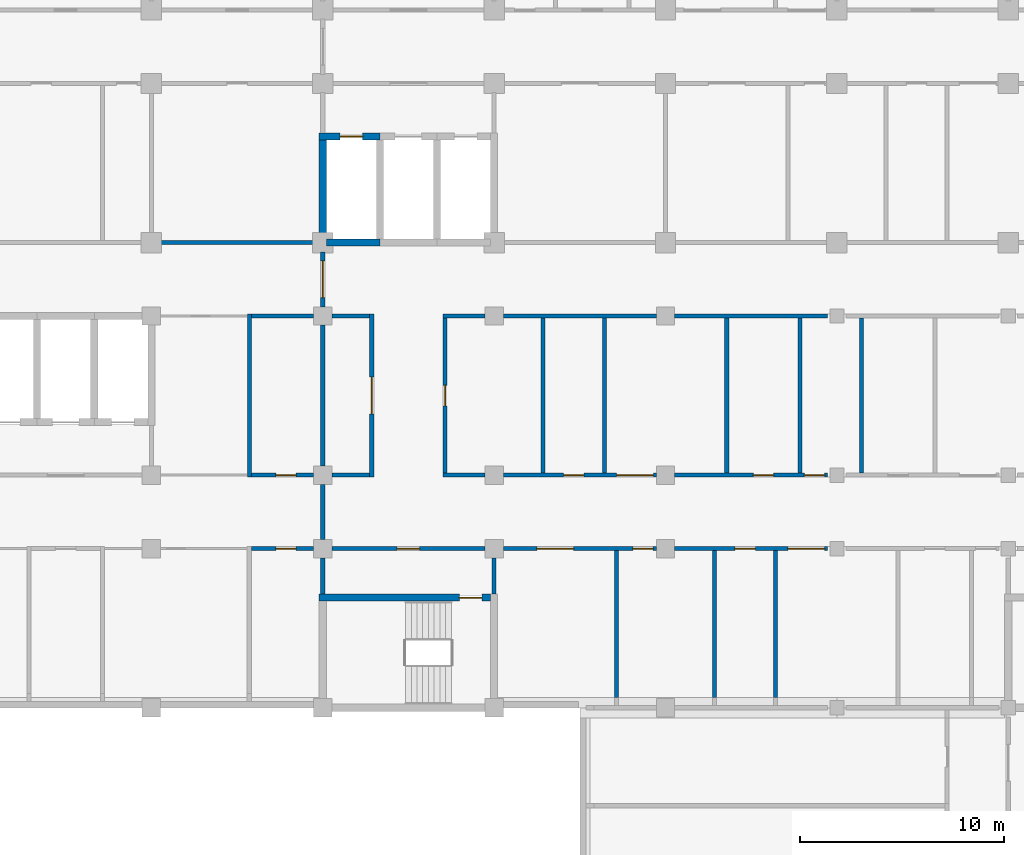
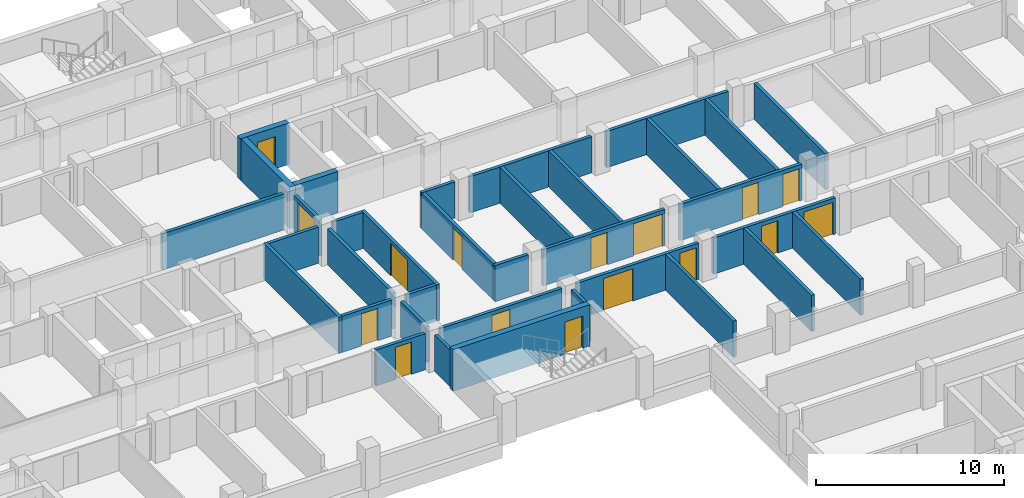
# One storey, part 58 of 89: 35 walls, 16 doors, 16 openings.
"""IFC4 building model written with IfcOpenShell, lengths in metres."""

from ifc_helpers import new_model, si_unit, direction, frame, frame_2d, origin, place, context, subcontext, project, spatial, rectangle, extrude, material, layer, layer_set, type_object, element, fill, save


model = new_model("IFC4")

# Units and contexts
model_context = context("Model", 3, precision=1e-05, world=origin(), true_north=direction((0.0, 1.0)))
body_context = subcontext(model_context, "Body", "Model", "MODEL_VIEW")
ifc_project = project(units=[si_unit("LENGTHUNIT", "METRE"), si_unit("AREAUNIT", "SQUARE_METRE"), si_unit("VOLUMEUNIT", "CUBIC_METRE"), si_unit("PLANEANGLEUNIT", "RADIAN"), si_unit("MASSUNIT", "GRAM", prefix="KILO")], contexts=[model_context])

# Site, building, storey
site_placement = place(None, origin())
site = spatial("IfcSite", under=ifc_project, at=site_placement, CompositionType="ELEMENT")
building_placement = place(site_placement, origin())
building = spatial("IfcBuilding", under=site, at=building_placement, Name="Bougainvillea Quay General Hospital", CompositionType="ELEMENT")
storey_placement = place(building_placement, frame((0.0, 0.0, 9.89990234375)))
storey = spatial("IfcBuildingStorey", under=building, at=storey_placement, Name="L01M", CompositionType="ELEMENT", Elevation=9.89990234375)

# Wall, opening, door
ifc_material_1 = material(Name="Fire-rated autoclaved aerated block wall, plastered")
ifc_layer_1 = layer(ifc_material_1, 0.199951171875)
ifc_layer_set_1 = layer_set([ifc_layer_1], Name="Fire-rated autoclaved aerated block wall, plastered")
wall_type_1 = type_object("IfcWallType", Name="Partition 200 Fire-rated autoclaved aerated block wall EI 120", PredefinedType="SOLIDWALL", material=ifc_layer_set_1)
wall_1_placement = place(storey_placement, frame((151.199951171875, 139.949951171875, 0.0), z_axis=(0.0, 0.0, 1.0), x_axis=(0.0, -1.0, 0.0)))
wall_1 = element("IfcWall", 1, at=wall_1_placement, inside=storey, type_object=wall_type_1, Name="Partition 200 mm EI 120", PredefinedType="SOLIDWALL", context=body_context, shape_type="SweptSolid", body=[
    extrude(rectangle(XDim=2.699951171875, YDim=0.199951171875, at=frame_2d((1.35009765625, 0.0))), origin(), (0.0, 0.0, 1.0), 2.35009765625),
])
opening_1_placement = place(wall_1_placement, frame((0.449951171875, 0.0, 0.0)))
opening_1 = element("IfcOpeningElement", 2, at=opening_1_placement, cuts=wall_1, Name="Opening L01M.015", PredefinedType="OPENING", context=body_context, shape_type="SweptSolid", body=[
    extrude(rectangle(XDim=1.800048828125, YDim=2.10009765625, at=frame_2d((0.89990234375, 1.050048828125))), frame((0.0, 0.10986328125, 0.0), z_axis=(0.0, -1.0, 0.0), x_axis=(1.0, 0.0, 0.0)), (0.0, 0.0, 1.0), 0.219970703125),
])
ifc_material_2 = material(Name="Steel fire door leaves in steel frame", Category="steel")
door_type_1 = type_object("IfcDoorType", Name="Steel double leaf door 1800x2100 FD90", OperationType="DOUBLE_DOOR_SINGLE_SWING", PredefinedType="DOOR", material=ifc_material_2)
door_1_placement = place(opening_1_placement, frame((1.800048828125, 0.0, 0.0), z_axis=(0.0, 0.0, 1.0), x_axis=(-1.0, 0.0, 0.0)))
door_1 = element("IfcDoor", 3, at=door_1_placement, inside=storey, type_object=door_type_1, Name="DT03 L01M.015", OperationType="DOUBLE_DOOR_SINGLE_SWING", OverallHeight=2.10009765625, OverallWidth=1.800048828125, PredefinedType="DOOR", context=body_context, shape_type="SweptSolid", body=[
    extrude(rectangle(XDim=1.800048828125, YDim=2.10009765625, at=frame_2d((0.89990234375, 1.050048828125))), frame((0.0, 0.02490234375, 0.0), z_axis=(0.0, -1.0, 0.0), x_axis=(1.0, 0.0, 0.0)), (0.0, 0.0, 1.0), 0.050048828125),
])
fill(opening_1, door_1)

# Walls
wall_2_placement = place(storey_placement, frame((151.199951171875, 136.35009765625, 0.0), z_axis=(0.0, 0.0, 1.0), x_axis=(0.0, -1.0, 0.0)))
element("IfcWall", 4, at=wall_2_placement, inside=storey, type_object=wall_type_1, Name="Partition 200 mm EI 120", PredefinedType="SOLIDWALL", context=body_context, shape_type="SweptSolid", body=[
    extrude(rectangle(XDim=6.900146484375, YDim=0.199951171875, at=frame_2d((3.4501953125, 0.0))), origin(), (0.0, 0.0, 1.0), 2.35009765625),
])
wall_3_placement = place(storey_placement, frame((151.199951171875, 128.550048828125, 0.0), z_axis=(0.0, 0.0, 1.0), x_axis=(0.0, -1.0, 0.0)))
element("IfcWall", 5, at=wall_3_placement, inside=storey, type_object=wall_type_1, Name="Partition 200 mm EI 120", PredefinedType="SOLIDWALL", context=body_context, shape_type="SweptSolid", body=[
    extrude(rectangle(XDim=2.699951171875, YDim=0.199951171875, at=frame_2d((1.35009765625, 0.0))), origin(), (0.0, 0.0, 1.0), 2.35009765625),
])
wall_4_placement = place(storey_placement, frame((151.199951171875, 124.949951171875, 0.0), z_axis=(0.0, 0.0, 1.0), x_axis=(0.0, -1.0, 0.0)))
element("IfcWall", 6, at=wall_4_placement, inside=storey, type_object=wall_type_1, Name="Partition 200 mm EI 120", PredefinedType="SOLIDWALL", context=body_context, shape_type="SweptSolid", body=[
    extrude(rectangle(XDim=1.77490234375, YDim=0.199951171875, at=frame_2d((0.887451171875, 0.0))), origin(), (0.0, 0.0, 1.0), 2.35009765625),
])

# Wall, openings, doors
wall_5_placement = place(storey_placement, frame((175.949951171875, 125.39990234375, 0.0), z_axis=(0.0, 0.0, 1.0), x_axis=(-1.0, 0.0, 0.0)))
wall_5 = element("IfcWall", 7, at=wall_5_placement, inside=storey, type_object=wall_type_1, Name="Partition 200 mm EI 120", PredefinedType="SOLIDWALL", context=body_context, shape_type="SweptSolid", body=[
    extrude(rectangle(XDim=7.5, YDim=0.199951171875, at=frame_2d((3.75, 0.0))), origin(), (0.0, 0.0, 1.0), 2.35009765625),
])
opening_2_placement = place(wall_5_placement, frame((3.552001953125, 0.0, 0.0)))
opening_2 = element("IfcOpeningElement", 8, at=opening_2_placement, cuts=wall_5, Name="Opening L01M.116", PredefinedType="OPENING", context=body_context, shape_type="SweptSolid", body=[
    extrude(rectangle(XDim=1.0, YDim=2.10009765625, at=frame_2d((0.5, 1.050048828125))), frame((0.0, 0.10986328125, 0.0), z_axis=(0.0, -1.0, 0.0), x_axis=(1.0, 0.0, 0.0)), (0.0, 0.0, 1.0), 0.219970703125),
])
opening_3_placement = place(wall_5_placement, frame((0.152099609375, 0.0, 0.0)))
opening_3 = element("IfcOpeningElement", 9, at=opening_3_placement, cuts=wall_5, Name="Opening L01M.117", PredefinedType="OPENING", context=body_context, shape_type="SweptSolid", body=[
    extrude(rectangle(XDim=1.800048828125, YDim=2.10009765625, at=frame_2d((0.89990234375, 1.050048828125))), frame((0.0, 0.10986328125, 0.0), z_axis=(0.0, -1.0, 0.0), x_axis=(1.0, 0.0, 0.0)), (0.0, 0.0, 1.0), 0.219970703125),
])
door_2_placement = place(opening_3_placement, origin())
door_2 = element("IfcDoor", 10, at=door_2_placement, inside=storey, type_object=door_type_1, Name="DT03 L01M.117", OperationType="DOUBLE_DOOR_SINGLE_SWING", OverallHeight=2.10009765625, OverallWidth=1.800048828125, PredefinedType="DOOR", context=body_context, shape_type="SweptSolid", body=[
    extrude(rectangle(XDim=1.800048828125, YDim=2.10009765625, at=frame_2d((0.89990234375, 1.050048828125))), frame((0.0, 0.02490234375, 0.0), z_axis=(0.0, -1.0, 0.0), x_axis=(1.0, 0.0, 0.0)), (0.0, 0.0, 1.0), 0.050048828125),
])
fill(opening_3, door_2)
ifc_material_3 = material(Name="Steel fire door leaf in steel frame", Category="steel")
door_type_2 = type_object("IfcDoorType", Name="Steel single leaf door 1000x2100 FD90", OperationType="NOTDEFINED", PredefinedType="DOOR", material=ifc_material_3)
door_3_placement = place(opening_2_placement, origin())
door_3 = element("IfcDoor", 11, at=door_3_placement, inside=storey, type_object=door_type_2, Name="DT11 L01M.116", OperationType="SINGLE_SWING_RIGHT", OverallHeight=2.10009765625, OverallWidth=1.0, PredefinedType="DOOR", context=body_context, shape_type="SweptSolid", body=[
    extrude(rectangle(XDim=1.0, YDim=2.10009765625, at=frame_2d((0.5, 1.050048828125))), frame((0.0, 0.02490234375, 0.0), z_axis=(0.0, -1.0, 0.0), x_axis=(1.0, 0.0, 0.0)), (0.0, 0.0, 1.0), 0.050048828125),
])
fill(opening_2, door_3)

wall_6_placement = place(storey_placement, frame((167.550048828125, 125.39990234375, 0.0), z_axis=(0.0, 0.0, 1.0), x_axis=(-1.0, 0.0, 0.0)))
wall_6 = element("IfcWall", 12, at=wall_6_placement, inside=storey, type_object=wall_type_1, Name="Partition 200 mm EI 120", PredefinedType="SOLIDWALL", context=body_context, shape_type="SweptSolid", body=[
    extrude(rectangle(XDim=7.5, YDim=0.199951171875, at=frame_2d((3.75, 0.0))), origin(), (0.0, 0.0, 1.0), 2.35009765625),
])
opening_4_placement = place(wall_6_placement, frame((4.051025390625, 0.0, 0.0)))
opening_4 = element("IfcOpeningElement", 13, at=opening_4_placement, cuts=wall_6, Name="Opening L01M.114", PredefinedType="OPENING", context=body_context, shape_type="SweptSolid", body=[
    extrude(rectangle(XDim=1.800048828125, YDim=2.10009765625, at=frame_2d((0.89990234375, 1.050048828125))), frame((0.0, 0.10986328125, 0.0), z_axis=(0.0, -1.0, 0.0), x_axis=(1.0, 0.0, 0.0)), (0.0, 0.0, 1.0), 0.219970703125),
])
opening_5_placement = place(wall_6_placement, frame((0.152099609375, 0.0, 0.0)))
opening_5 = element("IfcOpeningElement", 14, at=opening_5_placement, cuts=wall_6, Name="Opening L01M.115", PredefinedType="OPENING", context=body_context, shape_type="SweptSolid", body=[
    extrude(rectangle(XDim=1.0, YDim=2.10009765625, at=frame_2d((0.5, 1.050048828125))), frame((0.0, 0.10986328125, 0.0), z_axis=(0.0, -1.0, 0.0), x_axis=(1.0, 0.0, 0.0)), (0.0, 0.0, 1.0), 0.219970703125),
])
door_4_placement = place(opening_4_placement, origin())
door_4 = element("IfcDoor", 15, at=door_4_placement, inside=storey, type_object=door_type_1, Name="DT03 L01M.114", OperationType="DOUBLE_DOOR_SINGLE_SWING", OverallHeight=2.10009765625, OverallWidth=1.800048828125, PredefinedType="DOOR", context=body_context, shape_type="SweptSolid", body=[
    extrude(rectangle(XDim=1.800048828125, YDim=2.10009765625, at=frame_2d((0.89990234375, 1.050048828125))), frame((0.0, 0.02490234375, 0.0), z_axis=(0.0, -1.0, 0.0), x_axis=(1.0, 0.0, 0.0)), (0.0, 0.0, 1.0), 0.050048828125),
])
fill(opening_4, door_4)
door_5_placement = place(opening_5_placement, origin())
door_5 = element("IfcDoor", 16, at=door_5_placement, inside=storey, type_object=door_type_2, Name="DT11 L01M.115", OperationType="SINGLE_SWING_LEFT", OverallHeight=2.10009765625, OverallWidth=1.0, PredefinedType="DOOR", context=body_context, shape_type="SweptSolid", body=[
    extrude(rectangle(XDim=1.0, YDim=2.10009765625, at=frame_2d((0.5, 1.050048828125))), frame((0.0, 0.02490234375, 0.0), z_axis=(0.0, -1.0, 0.0), x_axis=(1.0, 0.0, 0.0)), (0.0, 0.0, 1.0), 0.050048828125),
])
fill(opening_5, door_5)

# Wall, opening, door
wall_7_placement = place(storey_placement, frame((159.14990234375, 125.39990234375, 0.0), z_axis=(0.0, 0.0, 1.0), x_axis=(-1.0, 0.0, 0.0)))
wall_7 = element("IfcWall", 17, at=wall_7_placement, inside=storey, type_object=wall_type_1, Name="Partition 200 mm EI 120", PredefinedType="SOLIDWALL", context=body_context, shape_type="SweptSolid", body=[
    extrude(rectangle(XDim=7.5, YDim=0.199951171875, at=frame_2d((3.75, 0.0))), origin(), (0.0, 0.0, 1.0), 2.35009765625),
])
opening_6_placement = place(wall_7_placement, frame((3.199951171875, 0.0, 0.0)))
opening_6 = element("IfcOpeningElement", 18, at=opening_6_placement, cuts=wall_7, Name="Opening L01M.038", PredefinedType="OPENING", context=body_context, shape_type="SweptSolid", body=[
    extrude(rectangle(XDim=1.10009765625, YDim=2.10009765625, at=frame_2d((0.550048828125, 1.050048828125))), frame((0.0, 0.10986328125, 0.0), z_axis=(0.0, -1.0, 0.0), x_axis=(1.0, 0.0, 0.0)), (0.0, 0.0, 1.0), 0.219970703125),
])
door_type_3 = type_object("IfcDoorType", Name="Steel single leaf door 1100x2100 FD60", OperationType="NOTDEFINED", PredefinedType="DOOR", material=ifc_material_3)
door_6_placement = place(opening_6_placement, origin())
door_6 = element("IfcDoor", 19, at=door_6_placement, inside=storey, type_object=door_type_3, Name="DT04 L01M.038", OperationType="SINGLE_SWING_RIGHT", OverallHeight=2.10009765625, OverallWidth=1.10009765625, PredefinedType="DOOR", context=body_context, shape_type="SweptSolid", body=[
    extrude(rectangle(XDim=1.10009765625, YDim=2.10009765625, at=frame_2d((0.550048828125, 1.050048828125))), frame((0.0, 0.02490234375, 0.0), z_axis=(0.0, -1.0, 0.0), x_axis=(1.0, 0.0, 0.0)), (0.0, 0.0, 1.0), 0.050048828125),
])
fill(opening_6, door_6)

# Wall, openings, doors
wall_8_placement = place(storey_placement, frame((175.949951171875, 129.0, 0.0), z_axis=(0.0, 0.0, 1.0), x_axis=(-1.0, 0.0, 0.0)))
wall_8 = element("IfcWall", 20, at=wall_8_placement, inside=storey, type_object=wall_type_1, Name="Partition 200 mm EI 120", PredefinedType="SOLIDWALL", context=body_context, shape_type="SweptSolid", body=[
    extrude(rectangle(XDim=7.5, YDim=0.199951171875, at=frame_2d((3.75, 0.0))), origin(), (0.0, 0.0, 1.0), 2.35009765625),
])
opening_7_placement = place(wall_8_placement, frame((2.64990234375, 0.0, 0.0)))
opening_7 = element("IfcOpeningElement", 21, at=opening_7_placement, cuts=wall_8, Name="Opening L01M.124", PredefinedType="OPENING", context=body_context, shape_type="SweptSolid", body=[
    extrude(rectangle(XDim=1.0, YDim=2.10009765625, at=frame_2d((0.5, 1.050048828125))), frame((0.0, 0.10986328125, 0.0), z_axis=(0.0, -1.0, 0.0), x_axis=(1.0, 0.0, 0.0)), (0.0, 0.0, 1.0), 0.219970703125),
])
opening_8_placement = place(wall_8_placement, frame((0.14990234375, 0.0, 0.0)))
opening_8 = element("IfcOpeningElement", 22, at=opening_8_placement, cuts=wall_8, Name="Opening L01M.125", PredefinedType="OPENING", context=body_context, shape_type="SweptSolid", body=[
    extrude(rectangle(XDim=1.0, YDim=2.10009765625, at=frame_2d((0.5, 1.050048828125))), frame((0.0, 0.10986328125, 0.0), z_axis=(0.0, -1.0, 0.0), x_axis=(1.0, 0.0, 0.0)), (0.0, 0.0, 1.0), 0.219970703125),
])
door_7_placement = place(opening_7_placement, frame((1.0, 0.0, 0.0), z_axis=(0.0, 0.0, 1.0), x_axis=(-1.0, 0.0, 0.0)))
door_7 = element("IfcDoor", 23, at=door_7_placement, inside=storey, type_object=door_type_2, Name="DT11 L01M.124", OperationType="SINGLE_SWING_RIGHT", OverallHeight=2.10009765625, OverallWidth=1.0, PredefinedType="DOOR", context=body_context, shape_type="SweptSolid", body=[
    extrude(rectangle(XDim=1.0, YDim=2.10009765625, at=frame_2d((0.5, 1.050048828125))), frame((0.0, 0.02490234375, 0.0), z_axis=(0.0, -1.0, 0.0), x_axis=(1.0, 0.0, 0.0)), (0.0, 0.0, 1.0), 0.050048828125),
])
fill(opening_7, door_7)
door_8_placement = place(opening_8_placement, frame((1.0, 0.0, 0.0), z_axis=(0.0, 0.0, 1.0), x_axis=(-1.0, 0.0, 0.0)))
door_8 = element("IfcDoor", 24, at=door_8_placement, inside=storey, type_object=door_type_2, Name="DT11 L01M.125", OperationType="SINGLE_SWING_RIGHT", OverallHeight=2.10009765625, OverallWidth=1.0, PredefinedType="DOOR", context=body_context, shape_type="SweptSolid", body=[
    extrude(rectangle(XDim=1.0, YDim=2.10009765625, at=frame_2d((0.5, 1.050048828125))), frame((0.0, 0.02490234375, 0.0), z_axis=(0.0, -1.0, 0.0), x_axis=(1.0, 0.0, 0.0)), (0.0, 0.0, 1.0), 0.050048828125),
])
fill(opening_8, door_8)

wall_9_placement = place(storey_placement, frame((167.550048828125, 129.0, 0.0), z_axis=(0.0, 0.0, 1.0), x_axis=(-1.0, 0.0, 0.0)))
wall_9 = element("IfcWall", 25, at=wall_9_placement, inside=storey, type_object=wall_type_1, Name="Partition 200 mm EI 120", PredefinedType="SOLIDWALL", context=body_context, shape_type="SweptSolid", body=[
    extrude(rectangle(XDim=7.5, YDim=0.199951171875, at=frame_2d((3.75, 0.0))), origin(), (0.0, 0.0, 1.0), 2.35009765625),
])
opening_9_placement = place(wall_9_placement, frame((3.550048828125, 0.0, 0.0)))
opening_9 = element("IfcOpeningElement", 26, at=opening_9_placement, cuts=wall_9, Name="Opening L01M.122", PredefinedType="OPENING", context=body_context, shape_type="SweptSolid", body=[
    extrude(rectangle(XDim=1.0, YDim=2.10009765625, at=frame_2d((0.5, 1.050048828125))), frame((0.0, 0.10986328125, 0.0), z_axis=(0.0, -1.0, 0.0), x_axis=(1.0, 0.0, 0.0)), (0.0, 0.0, 1.0), 0.219970703125),
])
opening_10_placement = place(wall_9_placement, frame((0.14990234375, 0.0, 0.0)))
opening_10 = element("IfcOpeningElement", 27, at=opening_10_placement, cuts=wall_9, Name="Opening L01M.123", PredefinedType="OPENING", context=body_context, shape_type="SweptSolid", body=[
    extrude(rectangle(XDim=1.800048828125, YDim=2.10009765625, at=frame_2d((0.89990234375, 1.050048828125))), frame((0.0, 0.10986328125, 0.0), z_axis=(0.0, -1.0, 0.0), x_axis=(1.0, 0.0, 0.0)), (0.0, 0.0, 1.0), 0.219970703125),
])
door_9_placement = place(opening_10_placement, frame((1.800048828125, 0.0, 0.0), z_axis=(0.0, 0.0, 1.0), x_axis=(-1.0, 0.0, 0.0)))
door_9 = element("IfcDoor", 28, at=door_9_placement, inside=storey, type_object=door_type_1, Name="DT03 L01M.123", OperationType="DOUBLE_DOOR_SINGLE_SWING", OverallHeight=2.10009765625, OverallWidth=1.800048828125, PredefinedType="DOOR", context=body_context, shape_type="SweptSolid", body=[
    extrude(rectangle(XDim=1.800048828125, YDim=2.10009765625, at=frame_2d((0.89990234375, 1.050048828125))), frame((0.0, 0.02490234375, 0.0), z_axis=(0.0, -1.0, 0.0), x_axis=(1.0, 0.0, 0.0)), (0.0, 0.0, 1.0), 0.050048828125),
])
fill(opening_10, door_9)
door_10_placement = place(opening_9_placement, frame((1.0, 0.0, 0.0), z_axis=(0.0, 0.0, 1.0), x_axis=(-1.0, 0.0, 0.0)))
door_10 = element("IfcDoor", 29, at=door_10_placement, inside=storey, type_object=door_type_2, Name="DT11 L01M.122", OperationType="SINGLE_SWING_LEFT", OverallHeight=2.10009765625, OverallWidth=1.0, PredefinedType="DOOR", context=body_context, shape_type="SweptSolid", body=[
    extrude(rectangle(XDim=1.0, YDim=2.10009765625, at=frame_2d((0.5, 1.050048828125))), frame((0.0, 0.02490234375, 0.0), z_axis=(0.0, -1.0, 0.0), x_axis=(1.0, 0.0, 0.0)), (0.0, 0.0, 1.0), 0.050048828125),
])
fill(opening_9, door_10)

# Walls
wall_10_placement = place(storey_placement, frame((159.14990234375, 129.0, 0.0), z_axis=(0.0, 0.0, 1.0), x_axis=(-1.0, 0.0, 0.0)))
element("IfcWall", 30, at=wall_10_placement, inside=storey, type_object=wall_type_1, Name="Partition 200 mm EI 120", PredefinedType="SOLIDWALL", context=body_context, shape_type="SweptSolid", body=[
    extrude(rectangle(XDim=2.0498046875, YDim=0.199951171875, at=frame_2d((1.02490234375, 0.0))), origin(), (0.0, 0.0, 1.0), 2.35009765625),
])
for number, where, z_axis, x_axis, name in (
    (31, (175.949951171875, 136.800048828125, 0.0), (0.0, 0.0, 1.0), (-1.0, 0.0, 0.0), "Partition 200 mm EI 120"),
    (32, (167.550048828125, 136.800048828125, 0.0), (0.0, 0.0, 1.0), (-1.0, 0.0, 0.0), "Partition 200 mm EI 120"),
):
    element("IfcWall", number, at=place(storey_placement, frame(where, z_axis=z_axis, x_axis=x_axis)), inside=storey, type_object=wall_type_1, Name=name, PredefinedType="SOLIDWALL", context=body_context, shape_type="SweptSolid", body=[
        extrude(rectangle(XDim=7.5, YDim=0.199951171875, at=frame_2d((3.75, 0.0))), origin(), (0.0, 0.0, 1.0), 2.35009765625),
    ])
wall_11_placement = place(storey_placement, frame((159.14990234375, 136.800048828125, 0.0), z_axis=(0.0, 0.0, 1.0), x_axis=(-1.0, 0.0, 0.0)))
element("IfcWall", 33, at=wall_11_placement, inside=storey, type_object=wall_type_1, Name="Partition 200 mm EI 120", PredefinedType="SOLIDWALL", context=body_context, shape_type="SweptSolid", body=[
    extrude(rectangle(XDim=2.0498046875, YDim=0.199951171875, at=frame_2d((1.02490234375, 0.0))), origin(), (0.0, 0.0, 1.0), 2.35009765625),
])
wall_12_placement = place(storey_placement, frame((150.75, 140.39990234375, 0.0), z_axis=(0.0, 0.0, 1.0), x_axis=(-1.0, 0.0, 0.0)))
element("IfcWall", 34, at=wall_12_placement, inside=storey, type_object=wall_type_1, Name="Partition 200 mm EI 120", PredefinedType="SOLIDWALL", context=body_context, shape_type="SweptSolid", body=[
    extrude(rectangle(XDim=7.5, YDim=0.199951171875, at=frame_2d((3.75, 0.0))), origin(), (0.0, 0.0, 1.0), 2.35009765625),
])
wall_13_placement = place(storey_placement, frame((159.60009765625, 123.175048828125, 0.0), z_axis=(0.0, 0.0, 1.0), x_axis=(0.0, 1.0, 0.0)))
element("IfcWall", 35, at=wall_13_placement, inside=storey, type_object=wall_type_1, Name="Partition 200 mm EI 120", PredefinedType="SOLIDWALL", context=body_context, shape_type="SweptSolid", body=[
    extrude(rectangle(XDim=1.77490234375, YDim=0.199951171875, at=frame_2d((0.887451171875, 0.0))), origin(), (0.0, 0.0, 1.0), 2.35009765625),
])

# Wall, opening, door
wall_14_placement = place(storey_placement, frame((153.60009765625, 128.89990234375, 0.0), z_axis=(0.0, 0.0, 1.0), x_axis=(0.0, 1.0, 0.0)))
wall_14 = element("IfcWall", 36, at=wall_14_placement, inside=storey, type_object=wall_type_1, Name="Partition 200 mm EI 120", PredefinedType="SOLIDWALL", context=body_context, shape_type="SweptSolid", body=[
    extrude(rectangle(XDim=8.0, YDim=0.199951171875, at=frame_2d((4.0, 0.0))), origin(), (0.0, 0.0, 1.0), 2.35009765625),
])
opening_11_placement = place(wall_14_placement, frame((3.10009765625, 0.0, 0.0)))
opening_11 = element("IfcOpeningElement", 37, at=opening_11_placement, cuts=wall_14, Name="Opening L01M.120", PredefinedType="OPENING", context=body_context, shape_type="SweptSolid", body=[
    extrude(rectangle(XDim=1.800048828125, YDim=2.10009765625, at=frame_2d((0.89990234375, 1.050048828125))), frame((0.0, 0.10986328125, 0.0), z_axis=(0.0, -1.0, 0.0), x_axis=(1.0, 0.0, 0.0)), (0.0, 0.0, 1.0), 0.219970703125),
])
door_11_placement = place(opening_11_placement, origin())
door_11 = element("IfcDoor", 38, at=door_11_placement, inside=storey, type_object=door_type_1, Name="DT03 L01M.120", OperationType="DOUBLE_DOOR_SINGLE_SWING", OverallHeight=2.10009765625, OverallWidth=1.800048828125, PredefinedType="DOOR", context=body_context, shape_type="SweptSolid", body=[
    extrude(rectangle(XDim=1.800048828125, YDim=2.10009765625, at=frame_2d((0.89990234375, 1.050048828125))), frame((0.0, 0.02490234375, 0.0), z_axis=(0.0, -1.0, 0.0), x_axis=(1.0, 0.0, 0.0)), (0.0, 0.0, 1.0), 0.050048828125),
])
fill(opening_11, door_11)

wall_15_placement = place(storey_placement, frame((157.199951171875, 129.10009765625, 0.0), z_axis=(0.0, 0.0, 1.0), x_axis=(0.0, 1.0, 0.0)))
wall_15 = element("IfcWall", 39, at=wall_15_placement, inside=storey, type_object=wall_type_1, Name="Partition 200 mm EI 120", PredefinedType="SOLIDWALL", context=body_context, shape_type="SweptSolid", body=[
    extrude(rectangle(XDim=7.599853515625, YDim=0.199951171875, at=frame_2d((3.7998046875, 0.0))), origin(), (0.0, 0.0, 1.0), 2.35009765625),
])
opening_12_placement = place(wall_15_placement, frame((3.300048828125, 0.0, 0.0)))
opening_12 = element("IfcOpeningElement", 40, at=opening_12_placement, cuts=wall_15, Name="Opening L01M.121", PredefinedType="OPENING", context=body_context, shape_type="SweptSolid", body=[
    extrude(rectangle(XDim=1.0, YDim=2.10009765625, at=frame_2d((0.5, 1.050048828125))), frame((0.0, 0.10986328125, 0.0), z_axis=(0.0, -1.0, 0.0), x_axis=(1.0, 0.0, 0.0)), (0.0, 0.0, 1.0), 0.219970703125),
])
door_12_placement = place(opening_12_placement, frame((1.0, 0.0, 0.0), z_axis=(0.0, 0.0, 1.0), x_axis=(-1.0, 0.0, 0.0)))
door_12 = element("IfcDoor", 41, at=door_12_placement, inside=storey, type_object=door_type_2, Name="DT11 L01M.121", OperationType="SINGLE_SWING_RIGHT", OverallHeight=2.10009765625, OverallWidth=1.0, PredefinedType="DOOR", context=body_context, shape_type="SweptSolid", body=[
    extrude(rectangle(XDim=1.0, YDim=2.10009765625, at=frame_2d((0.5, 1.050048828125))), frame((0.0, 0.02490234375, 0.0), z_axis=(0.0, -1.0, 0.0), x_axis=(1.0, 0.0, 0.0)), (0.0, 0.0, 1.0), 0.050048828125),
])
fill(opening_12, door_12)

# Walls
for number, where, z_axis, x_axis, name in (
    (42, (162.0, 129.10009765625, 0.0), (0.0, 0.0, 1.0), (0.0, 1.0, 0.0), "Partition 200 mm EI 120"),
    (43, (165.0, 129.10009765625, 0.0), (0.0, 0.0, 1.0), (0.0, 1.0, 0.0), "Partition 200 mm EI 120"),
):
    element("IfcWall", number, at=place(storey_placement, frame(where, z_axis=z_axis, x_axis=x_axis)), inside=storey, type_object=wall_type_1, Name=name, PredefinedType="SOLIDWALL", context=body_context, shape_type="SweptSolid", body=[
        extrude(rectangle(XDim=7.599853515625, YDim=0.199951171875, at=frame_2d((3.7998046875, 0.0))), origin(), (0.0, 0.0, 1.0), 2.35009765625),
    ])
for number, where, z_axis, x_axis, name in (
    (44, (165.597900390625, 118.10009765625, 0.0), (0.0, 0.0, 1.0), (0.0, 1.0, 0.0), "Partition 200 mm EI 120"),
    (45, (170.39794921875, 118.10009765625, 0.0), (0.0, 0.0, 1.0), (0.0, 1.0, 0.0), "Partition 200 mm EI 120"),
):
    element("IfcWall", number, at=place(storey_placement, frame(where, z_axis=z_axis, x_axis=x_axis)), inside=storey, type_object=wall_type_1, Name=name, PredefinedType="SOLIDWALL", context=body_context, shape_type="SweptSolid", body=[
        extrude(rectangle(XDim=7.199951171875, YDim=0.199951171875, at=frame_2d((3.60009765625, 0.0))), origin(), (0.0, 0.0, 1.0), 2.35009765625),
    ])
wall_16_placement = place(storey_placement, frame((171.0, 129.10009765625, 0.0), z_axis=(0.0, 0.0, 1.0), x_axis=(0.0, 1.0, 0.0)))
element("IfcWall", 46, at=wall_16_placement, inside=storey, type_object=wall_type_1, Name="Partition 200 mm EI 120", PredefinedType="SOLIDWALL", context=body_context, shape_type="SweptSolid", body=[
    extrude(rectangle(XDim=7.599853515625, YDim=0.199951171875, at=frame_2d((3.7998046875, 0.0))), origin(), (0.0, 0.0, 1.0), 2.35009765625),
])
wall_17_placement = place(storey_placement, frame((173.39794921875, 118.10009765625, 0.0), z_axis=(0.0, 0.0, 1.0), x_axis=(0.0, 1.0, 0.0)))
element("IfcWall", 47, at=wall_17_placement, inside=storey, type_object=wall_type_1, Name="Partition 200 mm EI 120", PredefinedType="SOLIDWALL", context=body_context, shape_type="SweptSolid", body=[
    extrude(rectangle(XDim=7.199951171875, YDim=0.199951171875, at=frame_2d((3.60009765625, 0.0))), origin(), (0.0, 0.0, 1.0), 2.35009765625),
])
for number, where, z_axis, x_axis, name in (
    (48, (174.60009765625, 129.10009765625, 0.0), (0.0, 0.0, 1.0), (0.0, 1.0, 0.0), "Partition 200 mm EI 120"),
    (49, (177.60009765625, 129.10009765625, 0.0), (0.0, 0.0, 1.0), (0.0, 1.0, 0.0), "Partition 200 mm EI 120"),
):
    element("IfcWall", number, at=place(storey_placement, frame(where, z_axis=z_axis, x_axis=x_axis)), inside=storey, type_object=wall_type_1, Name=name, PredefinedType="SOLIDWALL", context=body_context, shape_type="SweptSolid", body=[
        extrude(rectangle(XDim=7.599853515625, YDim=0.199951171875, at=frame_2d((3.7998046875, 0.0))), origin(), (0.0, 0.0, 1.0), 2.35009765625),
    ])
for number, where, z_axis, x_axis, name in (
    (50, (151.64990234375, 129.0, 0.0), (0.0, 0.0, 1.0), (1.0, 0.0, 0.0), "Partition 200 mm EI 120"),
    (51, (151.64990234375, 136.800048828125, 0.0), (0.0, 0.0, 1.0), (1.0, 0.0, 0.0), "Partition 200 mm EI 120"),
):
    element("IfcWall", number, at=place(storey_placement, frame(where, z_axis=z_axis, x_axis=x_axis)), inside=storey, type_object=wall_type_1, Name=name, PredefinedType="SOLIDWALL", context=body_context, shape_type="SweptSolid", body=[
        extrude(rectangle(XDim=1.85009765625, YDim=0.199951171875, at=frame_2d((0.925048828125, 0.0))), origin(), (0.0, 0.0, 1.0), 2.35009765625),
    ])
ifc_layer_2 = layer(ifc_material_1, 0.199951171875)
ifc_layer_set_2 = layer_set([ifc_layer_2], Name="Fire-rated autoclaved aerated block wall, plastered")
wall_type_2 = type_object("IfcWallType", Name="Partition 200 Fire-rated autoclaved aerated block wall EI 60", PredefinedType="SOLIDWALL", material=ifc_layer_set_2)
wall_18_placement = place(storey_placement, frame((147.60009765625, 128.89990234375, 0.0), z_axis=(0.0, 0.0, 1.0), x_axis=(0.0, 1.0, 0.0)))
element("IfcWall", 52, at=wall_18_placement, inside=storey, type_object=wall_type_2, Name="Partition 200 mm EI 60", PredefinedType="SOLIDWALL", context=body_context, shape_type="SweptSolid", body=[
    extrude(rectangle(XDim=8.0, YDim=0.199951171875, at=frame_2d((4.0, 0.0))), origin(), (0.0, 0.0, 1.0), 2.35009765625),
])

# Wall, opening, door
wall_19_placement = place(storey_placement, frame((147.697998046875, 125.39990234375, 0.0), z_axis=(0.0, 0.0, 1.0), x_axis=(1.0, 0.0, 0.0)))
wall_19 = element("IfcWall", 53, at=wall_19_placement, inside=storey, type_object=wall_type_2, Name="Partition 200 mm EI 60", PredefinedType="SOLIDWALL", context=body_context, shape_type="SweptSolid", body=[
    extrude(rectangle(XDim=3.052001953125, YDim=0.199951171875, at=frame_2d((1.52587890625, 0.0))), origin(), (0.0, 0.0, 1.0), 2.35009765625),
])
opening_13_placement = place(wall_19_placement, frame((1.200927734375, 0.0, 0.0)))
opening_13 = element("IfcOpeningElement", 54, at=opening_13_placement, cuts=wall_19, Name="Opening L01M.108", PredefinedType="OPENING", context=body_context, shape_type="SweptSolid", body=[
    extrude(rectangle(XDim=1.0, YDim=2.10009765625, at=frame_2d((0.5, 1.050048828125))), frame((0.0, 0.10986328125, 0.0), z_axis=(0.0, -1.0, 0.0), x_axis=(1.0, 0.0, 0.0)), (0.0, 0.0, 1.0), 0.219970703125),
])
door_type_4 = type_object("IfcDoorType", Name="Steel single leaf door 1000x2100 FD60", OperationType="NOTDEFINED", PredefinedType="DOOR", material=ifc_material_3)
door_13_placement = place(opening_13_placement, frame((1.0, 0.0, 0.0), z_axis=(0.0, 0.0, 1.0), x_axis=(-1.0, 0.0, 0.0)))
door_13 = element("IfcDoor", 55, at=door_13_placement, inside=storey, type_object=door_type_4, Name="DT10 L01M.108", OperationType="SINGLE_SWING_LEFT", OverallHeight=2.10009765625, OverallWidth=1.0, PredefinedType="DOOR", context=body_context, shape_type="SweptSolid", body=[
    extrude(rectangle(XDim=1.0, YDim=2.10009765625, at=frame_2d((0.5, 1.050048828125))), frame((0.0, 0.02490234375, 0.0), z_axis=(0.0, -1.0, 0.0), x_axis=(1.0, 0.0, 0.0)), (0.0, 0.0, 1.0), 0.050048828125),
])
fill(opening_13, door_13)

wall_20_placement = place(storey_placement, frame((147.699951171875, 129.0, 0.0), z_axis=(0.0, 0.0, 1.0), x_axis=(1.0, 0.0, 0.0)))
wall_20 = element("IfcWall", 56, at=wall_20_placement, inside=storey, type_object=wall_type_2, Name="Partition 200 mm EI 60", PredefinedType="SOLIDWALL", context=body_context, shape_type="SweptSolid", body=[
    extrude(rectangle(XDim=3.050048828125, YDim=0.199951171875, at=frame_2d((1.52490234375, 0.0))), origin(), (0.0, 0.0, 1.0), 2.35009765625),
])
opening_14_placement = place(wall_20_placement, frame((1.199951171875, 0.0, 0.0)))
opening_14 = element("IfcOpeningElement", 57, at=opening_14_placement, cuts=wall_20, Name="Opening L01M.113", PredefinedType="OPENING", context=body_context, shape_type="SweptSolid", body=[
    extrude(rectangle(XDim=1.0, YDim=2.10009765625, at=frame_2d((0.5, 1.050048828125))), frame((0.0, 0.10986328125, 0.0), z_axis=(0.0, -1.0, 0.0), x_axis=(1.0, 0.0, 0.0)), (0.0, 0.0, 1.0), 0.219970703125),
])
door_14_placement = place(opening_14_placement, origin())
door_14 = element("IfcDoor", 58, at=door_14_placement, inside=storey, type_object=door_type_4, Name="DT10 L01M.113", OperationType="SINGLE_SWING_RIGHT", OverallHeight=2.10009765625, OverallWidth=1.0, PredefinedType="DOOR", context=body_context, shape_type="SweptSolid", body=[
    extrude(rectangle(XDim=1.0, YDim=2.10009765625, at=frame_2d((0.5, 1.050048828125))), frame((0.0, 0.02490234375, 0.0), z_axis=(0.0, -1.0, 0.0), x_axis=(1.0, 0.0, 0.0)), (0.0, 0.0, 1.0), 0.050048828125),
])
fill(opening_14, door_14)

# Wall
wall_21_placement = place(storey_placement, frame((147.699951171875, 136.800048828125, 0.0), z_axis=(0.0, 0.0, 1.0), x_axis=(1.0, 0.0, 0.0)))
element("IfcWall", 59, at=wall_21_placement, inside=storey, type_object=wall_type_2, Name="Partition 200 mm EI 60", PredefinedType="SOLIDWALL", context=body_context, shape_type="SweptSolid", body=[
    extrude(rectangle(XDim=3.050048828125, YDim=0.199951171875, at=frame_2d((1.52490234375, 0.0))), origin(), (0.0, 0.0, 1.0), 2.35009765625),
])

# Wall, opening, door
ifc_material_4 = material(Name="Concrete C40", Category="concrete")
ifc_layer_3 = layer(ifc_material_4, 0.35009765625)
ifc_layer_set_3 = layer_set([ifc_layer_3], Name="Concrete C40")
wall_type_3 = type_object("IfcWallType", Name="RC SHEAR WALL 350 C40", PredefinedType="SHEAR", material=ifc_layer_set_3)
wall_22_placement = place(storey_placement, frame((151.02490234375, 123.0, 0.0), z_axis=(0.0, 0.0, 1.0), x_axis=(1.0, 0.0, 0.0)))
wall_22 = element("IfcWall", 60, at=wall_22_placement, inside=storey, type_object=wall_type_3, Name="Shear wall L01M", PredefinedType="SHEAR", context=body_context, shape_type="SweptSolid", body=[
    extrude(rectangle(XDim=8.400146484375, YDim=0.35009765625, at=frame_2d((4.2001953125, 0.0))), origin(), (0.0, 0.0, 1.0), 2.7001953125),
])
opening_15_placement = place(wall_22_placement, frame((6.875, 0.0, 0.0)))
opening_15 = element("IfcOpeningElement", 61, at=opening_15_placement, cuts=wall_22, Name="Opening L01M.024", PredefinedType="OPENING", context=body_context, shape_type="SweptSolid", body=[
    extrude(rectangle(XDim=1.10009765625, YDim=2.10009765625, at=frame_2d((0.550048828125, 1.050048828125))), frame((0.0, 0.18505859375, 0.0), z_axis=(0.0, -1.0, 0.0), x_axis=(1.0, 0.0, 0.0)), (0.0, 0.0, 1.0), 0.3701171875),
])
door_15_placement = place(opening_15_placement, frame((1.10009765625, 0.0, 0.0), z_axis=(0.0, 0.0, 1.0), x_axis=(-1.0, 0.0, 0.0)))
door_15 = element("IfcDoor", 62, at=door_15_placement, inside=storey, type_object=door_type_3, Name="DT04 L01M.024", OperationType="SINGLE_SWING_LEFT", OverallHeight=2.10009765625, OverallWidth=1.10009765625, PredefinedType="DOOR", context=body_context, shape_type="SweptSolid", body=[
    extrude(rectangle(XDim=1.10009765625, YDim=2.10009765625, at=frame_2d((0.550048828125, 1.050048828125))), frame((0.0, 0.02490234375, 0.0), z_axis=(0.0, -1.0, 0.0), x_axis=(1.0, 0.0, 0.0)), (0.0, 0.0, 1.0), 0.050048828125),
])
fill(opening_15, door_15)

wall_23_placement = place(storey_placement, frame((151.02490234375, 145.60009765625, 0.0), z_axis=(0.0, 0.0, 1.0), x_axis=(1.0, 0.0, 0.0)))
wall_23 = element("IfcWall", 63, at=wall_23_placement, inside=storey, type_object=wall_type_3, Name="Shear wall L01M", PredefinedType="SHEAR", context=body_context, shape_type="SweptSolid", body=[
    extrude(rectangle(XDim=2.97509765625, YDim=0.35009765625, at=frame_2d((1.487548828125, 0.0))), origin(), (0.0, 0.0, 1.0), 2.7001953125),
])
opening_16_placement = place(wall_23_placement, frame((1.02490234375, 0.0, 0.0)))
opening_16 = element("IfcOpeningElement", 64, at=opening_16_placement, cuts=wall_23, Name="Opening LD-A2.1-L01M", PredefinedType="OPENING", context=body_context, shape_type="SweptSolid", body=[
    extrude(rectangle(XDim=1.10009765625, YDim=2.10009765625, at=frame_2d((0.550048828125, 1.050048828125))), frame((0.0, 0.18505859375, 0.0), z_axis=(0.0, -1.0, 0.0), x_axis=(1.0, 0.0, 0.0)), (0.0, 0.0, 1.0), 0.3701171875),
])
ifc_material_5 = material(Name="Stainless steel centre-opening landing door", Category="steel")
door_type_5 = type_object("IfcDoorType", Name="Lift landing door 1100x2100 E 120", OperationType="DOUBLE_DOOR_SLIDING", PredefinedType="DOOR", material=ifc_material_5)
door_16_placement = place(opening_16_placement, origin())
door_16 = element("IfcDoor", 65, at=door_16_placement, inside=storey, type_object=door_type_5, Name="Lift landing door LB-A2-1 L01M", OperationType="DOUBLE_DOOR_SLIDING", OverallHeight=2.10009765625, OverallWidth=1.10009765625, PredefinedType="DOOR", context=body_context, shape_type="SweptSolid", body=[
    extrude(rectangle(XDim=1.10009765625, YDim=2.10009765625, at=frame_2d((0.550048828125, 1.050048828125))), frame((0.0, 0.02490234375, 0.0), z_axis=(0.0, -1.0, 0.0), x_axis=(1.0, 0.0, 0.0)), (0.0, 0.0, 1.0), 0.050048828125),
])
fill(opening_16, door_16)

# Walls
wall_24_placement = place(storey_placement, frame((151.199951171875, 140.22509765625, 0.0), z_axis=(0.0, 0.0, 1.0), x_axis=(0.0, 1.0, 0.0)))
element("IfcWall", 66, at=wall_24_placement, inside=storey, type_object=wall_type_3, Name="Shear wall L01M", PredefinedType="SHEAR", context=body_context, shape_type="SweptSolid", body=[
    extrude(rectangle(XDim=5.199951171875, YDim=0.35009765625, at=frame_2d((2.60009765625, 0.0))), origin(), (0.0, 0.0, 1.0), 2.7001953125),
])
wall_25_placement = place(storey_placement, frame((151.375, 140.39990234375, 0.0), z_axis=(0.0, 0.0, 1.0), x_axis=(1.0, 0.0, 0.0)))
element("IfcWall", 67, at=wall_25_placement, inside=storey, type_object=wall_type_3, Name="Shear wall L01M", PredefinedType="SHEAR", context=body_context, shape_type="SweptSolid", body=[
    extrude(rectangle(XDim=2.625, YDim=0.35009765625, at=frame_2d((1.3125, 0.0))), origin(), (0.0, 0.0, 1.0), 2.7001953125),
])

save(model, "model.ifc")
